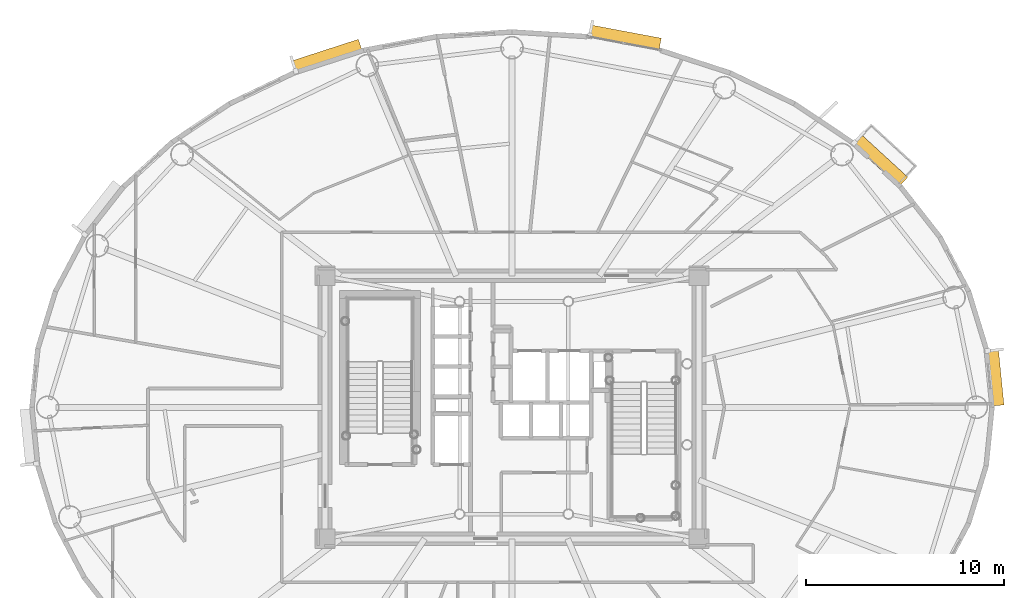
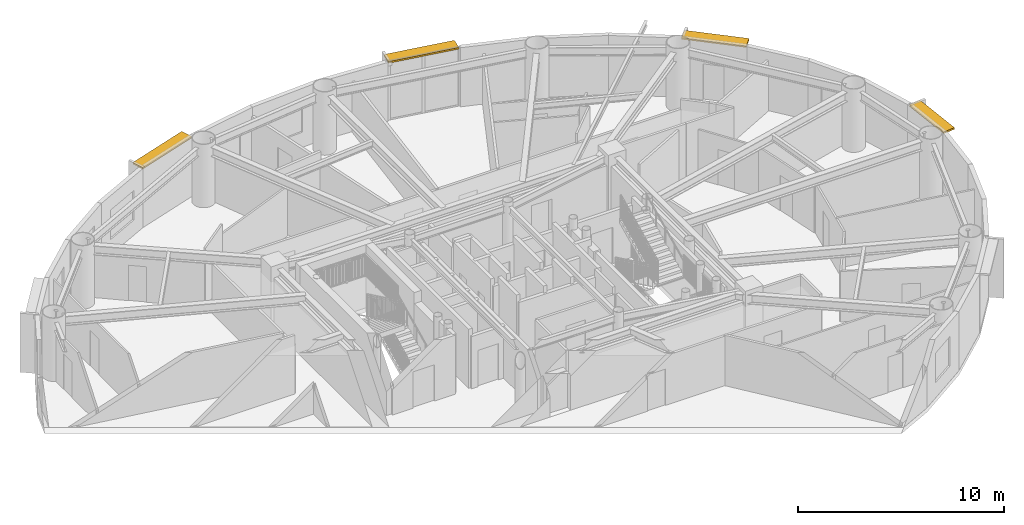
# One storey, part 18 of 18: 4 shading devices.
"""IFC4 building model written with IfcOpenShell, lengths in metres."""

import ifcopenshell
import ifcopenshell.guid

model = None  # the IFC model being written
_history = None  # IfcOwnerHistory: only IFC2X3 demands one
_inside = {}  # id of a spatial element -> (the spatial element, [elements in it])
_under = {}  # id of a project, library or spatial element -> (it, [spatial elements below it])
_declared = {}  # id of a project -> (the project, [libraries it declares])
_typed = {}  # id of a type object -> (the type object, [elements of that type])
_made_of = {}  # id of a material, layer set ... -> (it, [elements and type objects made of it])


def new_model(schema):
    """Start an empty IFC model of exactly this schema.

    Asked for "IFC4X3", IfcOpenShell would pick the latest addendum, in which some entities
    have other attributes; the version numbers below select the first issue.
    IFC2X3 requires an IfcOwnerHistory on every rooted entity: one is made here for all.
    """
    global model, _history
    if schema == "IFC4X3":
        model = ifcopenshell.file(schema_version=(4, 3, 0, 0))
    else:
        model = ifcopenshell.file(schema=schema)
    _inside.clear()
    _under.clear()
    _declared.clear()
    _typed.clear()
    _made_of.clear()
    _history = None
    if model.schema == "IFC2X3":
        org = make("IfcOrganization", Name="unknown")
        user = make(
            "IfcPersonAndOrganization",
            ThePerson=make("IfcPerson", FamilyName="unknown"),
            TheOrganization=org,
        )
        app = make(
            "IfcApplication",
            ApplicationDeveloper=org,
            Version="unknown",
            ApplicationFullName="unknown",
            ApplicationIdentifier="unknown",
        )
        _history = make(
            "IfcOwnerHistory",
            OwningUser=user,
            OwningApplication=app,
            ChangeAction="ADDED",
            CreationDate=0,
        )
    return model


def make(cls, **values):
    """One entity of the class cls with the attributes given. An attribute that is None is left unset."""
    return model.create_entity(
        cls, **{name: value for name, value in values.items() if value is not None}
    )


def rooted(cls, **values):
    """An entity with a GlobalId (a new one), such as an element, a storey or a relation."""
    return make(cls, GlobalId=ifcopenshell.guid.new(), OwnerHistory=_history, **values)


def si_unit(unit_type, name, prefix=None):
    """IfcSIUnit, for example si_unit("LENGTHUNIT", "METRE", prefix="MILLI")."""
    return make("IfcSIUnit", UnitType=unit_type, Prefix=prefix, Name=name)


def assignment(units):
    """IfcUnitAssignment: the units of a project."""
    return None if units is None else make("IfcUnitAssignment", Units=units)


def point(xyz):
    """IfcCartesianPoint."""
    return None if xyz is None else make("IfcCartesianPoint", Coordinates=xyz)


def direction(xyz):
    """IfcDirection."""
    return None if xyz is None else make("IfcDirection", DirectionRatios=xyz)


def frame(location, z_axis=None, x_axis=None):
    """IfcAxis2Placement3D, a coordinate frame: its origin and axes. An axis left out is left unset."""
    return make(
        "IfcAxis2Placement3D",
        Location=point(location),
        Axis=direction(z_axis),
        RefDirection=direction(x_axis),
    )


def frame_2d(location, x_axis=None):
    """IfcAxis2Placement2D, a coordinate frame in the plane: its origin and x axis."""
    return make(
        "IfcAxis2Placement2D", Location=point(location), RefDirection=direction(x_axis)
    )


def origin():
    """The frame at (0, 0, 0) with its axes left unset."""
    return frame((0.0, 0.0, 0.0))


def origin_2d():
    """The frame at (0, 0) in the plane with its x axis left unset."""
    return frame_2d((0.0, 0.0))


def place(relative_to, where):
    """IfcLocalPlacement: puts the frame where relative to a parent placement (None: the world)."""
    return make(
        "IfcLocalPlacement", PlacementRelTo=relative_to, RelativePlacement=where
    )


def context(
    kind, dimensions, precision=None, world=None, true_north=None, identifier=None
):
    """IfcGeometricRepresentationContext, for example the 3D "Model" context."""
    return make(
        "IfcGeometricRepresentationContext",
        ContextIdentifier=identifier,
        ContextType=kind,
        CoordinateSpaceDimension=dimensions,
        Precision=precision,
        WorldCoordinateSystem=world,
        TrueNorth=true_north,
    )


def subcontext(parent, identifier, kind, view, scale=None):
    """IfcGeometricRepresentationSubContext, for example "Body" below "Model"."""
    return make(
        "IfcGeometricRepresentationSubContext",
        ContextIdentifier=identifier,
        ContextType=kind,
        ParentContext=parent,
        TargetScale=scale,
        TargetView=view,
    )


def project(units=None, contexts=None):
    """IfcProject with its units and contexts."""
    return rooted(
        "IfcProject",
        Name="project",
        RepresentationContexts=contexts,
        UnitsInContext=assignment(units),
    )


def spatial(cls, under=None, at=None, **own):
    """A site, building, storey or space (cls), placed at a placement, below another one or the project."""
    s = rooted(cls, ObjectPlacement=at, **own)
    if under is not None:
        _under.setdefault(under.id(), (under, []))[1].append(s)
    return s


def profile(cls, at=None, kind="AREA", **sizes):
    """A parametric profile (cls). Its sizes go by their IFC names, for example OverallWidth=200.0."""
    return make(cls, ProfileType=kind, Position=at, **sizes)


def rectangle(**sizes):
    """IfcRectangleProfileDef."""
    return profile("IfcRectangleProfileDef", **sizes)


def extrude(swept, where, along, depth):
    """IfcExtrudedAreaSolid: the profile swept, set in the frame where, extruded along a direction by depth."""
    return make(
        "IfcExtrudedAreaSolid",
        SweptArea=swept,
        Position=where,
        ExtrudedDirection=direction(along),
        Depth=depth,
    )


def shape(context_of_items, identifier, shape_type, items):
    """IfcShapeRepresentation: the items that make up one representation, for example the "Body"."""
    return make(
        "IfcShapeRepresentation",
        ContextOfItems=context_of_items,
        RepresentationIdentifier=identifier,
        RepresentationType=shape_type,
        Items=items,
    )


def source(mapping_origin, context_of_items, identifier, shape_type, items):
    """IfcRepresentationMap: a shape defined once, which mapped items show again and again."""
    return make(
        "IfcRepresentationMap",
        MappingOrigin=mapping_origin,
        MappedRepresentation=shape(context_of_items, identifier, shape_type, items),
    )


def transform(
    local_origin,
    x_axis=None,
    y_axis=None,
    z_axis=None,
    scale=None,
    scale2=None,
    scale3=None,
    uniform=True,
):
    """IfcCartesianTransformationOperator3D, or its non-uniform kind. x_axis, y_axis, z_axis: its Axis1, 2, 3."""
    if uniform:
        return make(
            "IfcCartesianTransformationOperator3D",
            Axis1=direction(x_axis),
            Axis2=direction(y_axis),
            LocalOrigin=point(local_origin),
            Scale=scale,
            Axis3=direction(z_axis),
        )
    return make(
        "IfcCartesianTransformationOperator3DnonUniform",
        Axis1=direction(x_axis),
        Axis2=direction(y_axis),
        LocalOrigin=point(local_origin),
        Scale=scale,
        Axis3=direction(z_axis),
        Scale2=scale2,
        Scale3=scale3,
    )


def mapped(mapping_source, mapping_target):
    """IfcMappedItem: shows the shape of a source again, moved by a transform."""
    return make(
        "IfcMappedItem", MappingSource=mapping_source, MappingTarget=mapping_target
    )


def material(Name=None, Category=None):
    """IfcMaterial."""
    return make("IfcMaterial", Name=Name, Category=Category)


def layer(
    of_material, thickness, ventilated=None, Name=None, Category=None, Priority=None
):
    """IfcMaterialLayer: one layer of a wall or slab, of a material (None: an air gap)."""
    return make(
        "IfcMaterialLayer",
        Material=of_material,
        LayerThickness=thickness,
        IsVentilated=ventilated,
        Name=Name,
        Category=Category,
        Priority=Priority,
    )


def layer_set(layers, Name=None):
    """IfcMaterialLayerSet."""
    return make("IfcMaterialLayerSet", MaterialLayers=layers, LayerSetName=Name)


def made_of(thing, what):
    """Note that an element or type object is made of a material, layer set ...; save() writes the relation."""
    if what is not None:
        _made_of.setdefault(what.id(), (what, []))[1].append(thing)
    return thing


def type_object(cls, material=None, **own):
    """A type object (cls), such as IfcWallType, which elements share."""
    return made_of(rooted(cls, **own), material)


def element(
    cls,
    number,
    at=None,
    inside=None,
    cuts=None,
    type_object=None,
    material=None,
    context=None,
    identifier="Body",
    shape_type=None,
    held_by="IfcProductDefinitionShape",
    body=None,
    shapes=None,
    **own,
):
    """One element of the class cls, such as IfcWall. Its Tag is "e" and its number.

    at: its placement. inside: the storey or other place that contains it. cuts: it is an
    opening in that element (IfcRelVoidsElement). A single representation is given by context,
    identifier, shape_type and body (its items); several are given by shapes. held_by: the class
    of the entity that holds the representations. save() writes the other relations.
    """
    e = rooted(cls, Tag="e%d" % number, ObjectPlacement=at, **own)
    if body is not None:
        shapes = [shape(context, identifier, shape_type, body)]
    if shapes is not None:
        e.Representation = make(held_by, Representations=shapes)
    if inside is not None:
        _inside.setdefault(inside.id(), (inside, []))[1].append(e)
    if cuts is not None:
        rooted(
            "IfcRelVoidsElement", RelatingBuildingElement=cuts, RelatedOpeningElement=e
        )
    if type_object is not None:
        _typed.setdefault(type_object.id(), (type_object, []))[1].append(e)
    return made_of(e, material)


def aggregate(whole, parts):
    """IfcRelAggregates: a whole, such as a stair, and the parts it consists of."""
    return rooted("IfcRelAggregates", RelatingObject=whole, RelatedObjects=parts)


def save(model, path):
    """Write the relations noted so far, then the file.

    IfcRelAggregates (storeys below a building ...), IfcRelContainedInSpatialStructure (elements
    in a storey), IfcRelDefinesByType, IfcRelAssociatesMaterial and IfcRelDeclares: one each for
    every whole, place, type object, material and project.
    """
    for whole, parts in _under.values():
        aggregate(whole, parts)
    for where, things in _inside.values():
        rooted(
            "IfcRelContainedInSpatialStructure",
            RelatedElements=things,
            RelatingStructure=where,
        )
    for kind, things in _typed.values():
        rooted("IfcRelDefinesByType", RelatedObjects=things, RelatingType=kind)
    for what, things in _made_of.values():
        rooted("IfcRelAssociatesMaterial", RelatedObjects=things, RelatingMaterial=what)
    for by, libraries in _declared.values():
        rooted("IfcRelDeclares", RelatingContext=by, RelatedDefinitions=libraries)
    model.write(path)


model = new_model("IFC4")

# Units and contexts
model_context = context("Model", 3, precision=1e-05, world=origin(), true_north=direction((0.0, 1.0)))
body_context = subcontext(model_context, "Body", "Model", "MODEL_VIEW")
ifc_project = project(units=[si_unit("LENGTHUNIT", "METRE"), si_unit("AREAUNIT", "SQUARE_METRE"), si_unit("VOLUMEUNIT", "CUBIC_METRE"), si_unit("PLANEANGLEUNIT", "RADIAN"), si_unit("MASSUNIT", "GRAM", prefix="KILO")], contexts=[model_context])

# Site, building, storey
site_placement = place(None, origin())
site = spatial("IfcSite", under=ifc_project, at=site_placement, CompositionType="ELEMENT")
building_placement = place(site_placement, origin())
building = spatial("IfcBuilding", under=site, at=building_placement, Name="Linh Dai School and Residence Tower", CompositionType="ELEMENT")
storey_placement = place(building_placement, frame((0.0, 0.0, 225.300048828125)))
storey = spatial("IfcBuildingStorey", under=building, at=storey_placement, Name="L55", CompositionType="ELEMENT", Elevation=225.300048828125)

# Shading devices
ifc_material = material(Name="Terracotta Ceramic Sunshade", Category="masonry")
ifc_layer = layer(ifc_material, 0.10009765625)
ifc_layer_set = layer_set([ifc_layer], Name="Terracotta Ceramic Sunshade")
shading_device_type = type_object("IfcShadingDeviceType", Name="SHD-TC-650", PredefinedType="USERDEFINED", material=ifc_layer_set)
shared_shape_1 = source(origin(), body_context, "Body", "SweptSolid", [
    extrude(rectangle(XDim=2.859619140625, YDim=0.64990234375, at=origin_2d()), origin(), (0.0, 0.0, 1.0), 0.10009765625),
])
shading_device_1_placement = place(storey_placement, frame((60.40966796875, 28.510498046875, 3.3798828125), z_axis=(0.0, 0.0, 1.0), x_axis=(0.100012244219, -0.99498620644, 0.0)))
element("IfcShadingDevice", 1, at=shading_device_1_placement, inside=storey, type_object=shading_device_type, Name="L55 Terracotta Horizontal Sunshade Band 01", ObjectType="SUNSHADE", PredefinedType="USERDEFINED", context=body_context, shape_type="MappedRepresentation", body=[
    mapped(shared_shape_1, transform((0.0, 0.0, 0.0), x_axis=(1.0, 0.0, 0.0), y_axis=(0.0, 1.0, 0.0), z_axis=(0.0, 0.0, 1.0), scale=1.0)),
])
shared_shape_2 = source(origin(), body_context, "Body", "SweptSolid", [
    extrude(rectangle(XDim=3.219482421875, YDim=0.64990234375, at=origin_2d()), origin(), (0.0, 0.0, 1.0), 0.10009765625),
])
shading_device_2_placement = place(storey_placement, frame((54.60498046875, 39.48779296875, 3.3798828125), z_axis=(0.0, 0.0, 1.0), x_axis=(0.737123938446, -0.675757574408, 0.0)))
element("IfcShadingDevice", 2, at=shading_device_2_placement, inside=storey, type_object=shading_device_type, Name="L55 Terracotta Horizontal Sunshade Band 05", ObjectType="SUNSHADE", PredefinedType="USERDEFINED", context=body_context, shape_type="MappedRepresentation", body=[
    mapped(shared_shape_2, transform((0.0, 0.0, 0.0), x_axis=(1.0, 0.0, 0.0), y_axis=(0.0, 1.0, 0.0), z_axis=(0.0, 0.0, 1.0), scale=1.0)),
])
shared_shape_3 = source(origin(), body_context, "Body", "SweptSolid", [
    extrude(rectangle(XDim=3.62158203125, YDim=0.64990234375, at=origin_2d()), origin(), (0.0, 0.0, 1.0), 0.10009765625),
])
shading_device_3_placement = place(storey_placement, frame((41.7080078125, 45.67724609375, 3.3798828125), z_axis=(0.0, 0.0, 1.0), x_axis=(0.982786586765, -0.18474448537, 0.0)))
element("IfcShadingDevice", 3, at=shading_device_3_placement, inside=storey, type_object=shading_device_type, Name="L55 Terracotta Horizontal Sunshade Band 09", ObjectType="SUNSHADE", PredefinedType="USERDEFINED", context=body_context, shape_type="MappedRepresentation", body=[
    mapped(shared_shape_3, transform((0.0, 0.0, 0.0), x_axis=(1.0, 0.0, 0.0), y_axis=(0.0, 1.0, 0.0), z_axis=(0.0, 0.0, 1.0), scale=1.0)),
])
shared_shape_4 = source(origin(), body_context, "Body", "SweptSolid", [
    extrude(rectangle(XDim=3.554443359375, YDim=0.64990234375, at=origin_2d()), origin(), (0.0, 0.0, 1.0), 0.10009765625),
])
shading_device_4_placement = place(storey_placement, frame((26.641845703125, 44.748779296875, 3.3798828125), z_axis=(0.0, 0.0, 1.0), x_axis=(0.951223997135, 0.308501065272, 0.0)))
element("IfcShadingDevice", 4, at=shading_device_4_placement, inside=storey, type_object=shading_device_type, Name="L55 Terracotta Horizontal Sunshade Band 13", ObjectType="SUNSHADE", PredefinedType="USERDEFINED", context=body_context, shape_type="MappedRepresentation", body=[
    mapped(shared_shape_4, transform((0.0, 0.0, 0.0), x_axis=(1.0, 0.0, 0.0), y_axis=(0.0, 1.0, 0.0), z_axis=(0.0, 0.0, 1.0), scale=1.0)),
])

save(model, "model.ifc")
